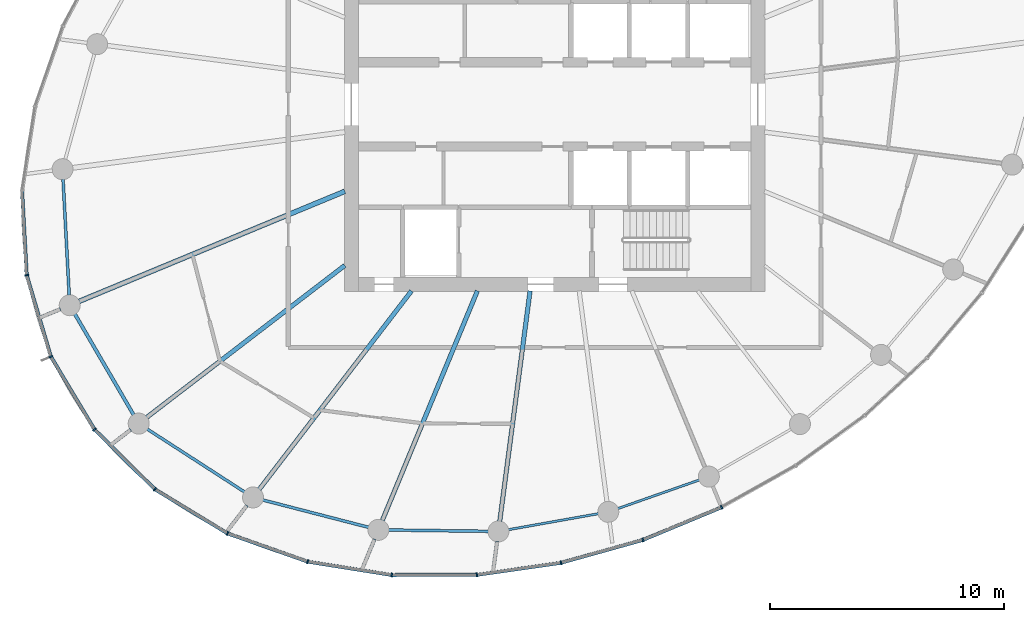
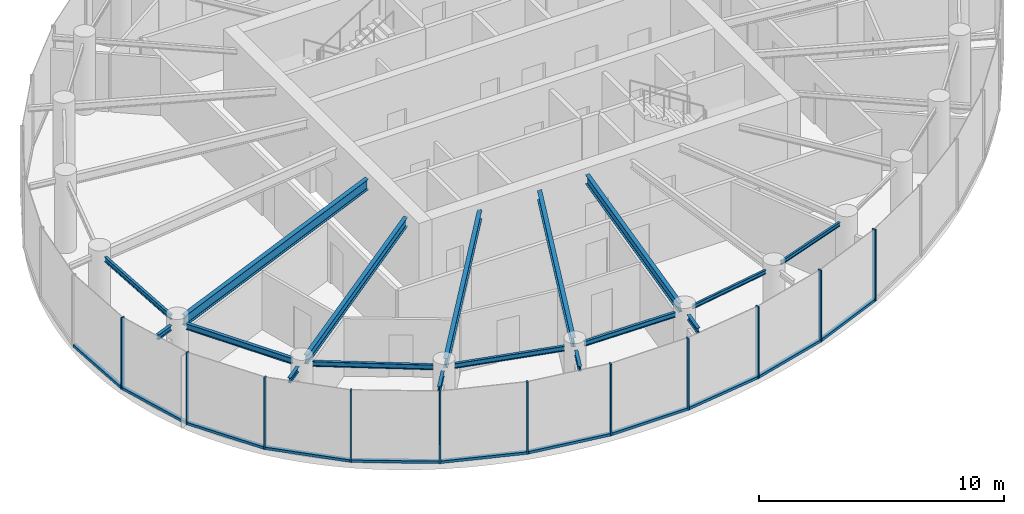
# One storey, part 2 of 14: 22 members, 17 beams, 3 elements without a shape of their own.
"""IFC4 building model written with IfcOpenShell, lengths in metres."""

from ifc_helpers import new_model, si_unit, direction, frame, origin, origin_2d, place, context, subcontext, project, spatial, rectangle, i_section, extrude, source, transform, mapped, material, layer, layer_set, material_profile, profile_set, type_object, element, aggregate, save


model = new_model("IFC4")

# Units and contexts
model_context = context("Model", 3, precision=1e-05, world=origin(), true_north=direction((0.0, 1.0)))
body_context = subcontext(model_context, "Body", "Model", "MODEL_VIEW")
ifc_project = project(units=[si_unit("LENGTHUNIT", "METRE"), si_unit("AREAUNIT", "SQUARE_METRE"), si_unit("VOLUMEUNIT", "CUBIC_METRE"), si_unit("PLANEANGLEUNIT", "RADIAN"), si_unit("MASSUNIT", "GRAM", prefix="KILO")], contexts=[model_context])

# Site, building, storey
site_placement = place(None, origin())
site = spatial("IfcSite", under=ifc_project, at=site_placement, CompositionType="ELEMENT")
building_placement = place(site_placement, origin())
building = spatial("IfcBuilding", under=site, at=building_placement, Name="Spindrift Exchange Tower", CompositionType="ELEMENT")
storey_placement = place(building_placement, frame((0.0, 0.0, 211.10009765625)))
storey = spatial("IfcBuildingStorey", under=building, at=storey_placement, Name="L51", CompositionType="ELEMENT", Elevation=211.10009765625)

# Beams
ifc_material_1 = material(Name="Steel Grade 300", Category="steel")
ifc_material_profile_1 = material_profile(ifc_material_1, i_section(OverallWidth=0.208984375, OverallDepth=0.528076171875, WebThickness=0.009521484375, FlangeThickness=0.01318359375, FilletRadius=0.013916015625, at=origin_2d()), Name="530UB82.0")
ifc_profile_set_1 = profile_set([ifc_material_profile_1], Name="Steel Grade 300")
beam_type_1 = type_object("IfcBeamType", Name="Floor Beam 530UB82.0 Steel Grade 300", PredefinedType="BEAM", material=ifc_profile_set_1)
shared_shape_1 = source(origin(), body_context, "Body", "SweptSolid", [
    extrude(i_section(OverallWidth=0.208984375, OverallDepth=0.528076171875, WebThickness=0.009521484375, FlangeThickness=0.01318359375, FilletRadius=0.013916015625, at=origin_2d()), origin(), (0.0, 0.0, 1.0), 12.3115234375),
])
beam_1_placement = place(storey_placement, frame((43.0185546875, 44.27978515625, 3.31591796875), z_axis=(-0.923878099838, -0.382686891126, 0.0), x_axis=(0.382686891126, -0.923878099838, 0.0)))
element("IfcBeam", 1, at=beam_1_placement, inside=storey, type_object=beam_type_1, Name="L51 radial beam R14A", PredefinedType="BEAM", context=body_context, shape_type="MappedRepresentation", body=[
    mapped(shared_shape_1, transform((0.0, 0.0, 0.0), scale=1.0)),
])
ifc_material_profile_2 = material_profile(ifc_material_1, i_section(OverallWidth=0.18994140625, OverallDepth=0.4541015625, WebThickness=0.008544921875, FlangeThickness=0.0126953125, FilletRadius=0.013916015625, at=origin_2d()), Name="460UB67.1")
ifc_profile_set_2 = profile_set([ifc_material_profile_2], Name="Steel Grade 300")
beam_type_2 = type_object("IfcBeamType", Name="Floor Beam 460UB67.1 Steel Grade 300", PredefinedType="BEAM", material=ifc_profile_set_2)
shared_shape_2 = source(origin(), body_context, "Body", "SweptSolid", [
    extrude(i_section(OverallWidth=0.18994140625, OverallDepth=0.4541015625, WebThickness=0.008544921875, FlangeThickness=0.0126953125, FilletRadius=0.013916015625, at=origin_2d()), origin(), (0.0, 0.0, 1.0), 10.684814453125),
])
beam_2_placement = place(storey_placement, frame((43.015869140625, 41.106201171875, 3.352783203125), z_axis=(-0.793357316898, -0.608756246559, 0.0), x_axis=(0.608756246559, -0.793357316898, 0.0)))
element("IfcBeam", 2, at=beam_2_placement, inside=storey, type_object=beam_type_2, Name="L51 radial beam R15A", PredefinedType="BEAM", context=body_context, shape_type="MappedRepresentation", body=[
    mapped(shared_shape_2, transform((0.0, 0.0, 0.0), scale=1.0)),
])
shared_shape_3 = source(origin(), body_context, "Body", "SweptSolid", [
    extrude(i_section(OverallWidth=0.18994140625, OverallDepth=0.4541015625, WebThickness=0.008544921875, FlangeThickness=0.0126953125, FilletRadius=0.013916015625, at=origin_2d()), origin(), (0.0, 0.0, 1.0), 10.711181640625),
])
beam_3_placement = place(storey_placement, frame((45.87353515625, 40.015869140625, 3.352783203125), z_axis=(-0.608756401092, -0.793357198322, 0.0), x_axis=(0.793357198322, -0.608756401092, 0.0)))
element("IfcBeam", 3, at=beam_3_placement, inside=storey, type_object=beam_type_2, Name="L51 radial beam R16A", PredefinedType="BEAM", context=body_context, shape_type="MappedRepresentation", body=[
    mapped(shared_shape_3, transform((0.0, 0.0, 0.0), scale=1.0)),
])
shared_shape_4 = source(origin(), body_context, "Body", "SweptSolid", [
    extrude(i_section(OverallWidth=0.18994140625, OverallDepth=0.4541015625, WebThickness=0.008544921875, FlangeThickness=0.0126953125, FilletRadius=0.013916015625, at=origin_2d()), origin(), (0.0, 0.0, 1.0), 10.64111328125),
])
beam_4_placement = place(storey_placement, frame((48.69384765625, 40.0185546875, 3.352783203125), z_axis=(-0.382672627597, -0.923884007919, 0.0), x_axis=(0.923884007919, -0.382672627597, 0.0)))
element("IfcBeam", 4, at=beam_4_placement, inside=storey, type_object=beam_type_2, Name="L51 radial beam R17A", PredefinedType="BEAM", context=body_context, shape_type="MappedRepresentation", body=[
    mapped(shared_shape_4, transform((0.0, 0.0, 0.0), scale=1.0)),
])
shared_shape_5 = source(origin(), body_context, "Body", "SweptSolid", [
    extrude(i_section(OverallWidth=0.18994140625, OverallDepth=0.4541015625, WebThickness=0.008544921875, FlangeThickness=0.0126953125, FilletRadius=0.013916015625, at=origin_2d()), origin(), (0.0, 0.0, 1.0), 9.95703125),
])
beam_5_placement = place(storey_placement, frame((50.949462890625, 40.019775390625, 3.352783203125), z_axis=(-0.130541406635, -0.991442858239, 0.0), x_axis=(0.991442858239, -0.130541406635, 0.0)))
element("IfcBeam", 5, at=beam_5_placement, inside=storey, type_object=beam_type_2, Name="L51 radial beam R18A", PredefinedType="BEAM", context=body_context, shape_type="MappedRepresentation", body=[
    mapped(shared_shape_5, transform((0.0, 0.0, 0.0), scale=1.0)),
])
ifc_material_profile_3 = material_profile(ifc_material_1, i_section(OverallWidth=0.1240234375, OverallDepth=0.248046875, WebThickness=0.0048828125, FlangeThickness=0.008056640625, FilletRadius=0.011962890625, at=origin_2d()), Name="250UB25.7")
ifc_profile_set_3 = profile_set([ifc_material_profile_3], Name="Steel Grade 300")
beam_type_3 = type_object("IfcBeamType", Name="Edge Beam 250UB25.7 Steel Grade 300", PredefinedType="SPANDREL", material=ifc_profile_set_3)
shared_shape_6 = source(origin(), body_context, "Body", "SweptSolid", [
    extrude(i_section(OverallWidth=0.1240234375, OverallDepth=0.248046875, WebThickness=0.0048828125, FlangeThickness=0.008056640625, FilletRadius=0.011962890625, at=origin_2d()), origin(), (0.0, 0.0, 1.0), 4.971435546875),
])
beam_6_placement = place(storey_placement, frame((30.96044921875, 44.797607421875, 3.455810546875), z_axis=(0.053038255124, -0.998592481192, 0.0), x_axis=(0.998592481192, 0.053038255124, 0.0)))
element("IfcBeam", 6, at=beam_6_placement, inside=storey, type_object=beam_type_3, Name="L51 edge beam E13", PredefinedType="SPANDREL", context=body_context, shape_type="MappedRepresentation", body=[
    mapped(shared_shape_6, transform((0.0, 0.0, 0.0), scale=1.0)),
])
ifc_material_profile_4 = material_profile(ifc_material_1, i_section(OverallWidth=0.14892578125, OverallDepth=0.298095703125, WebThickness=0.005615234375, FlangeThickness=0.008056640625, FilletRadius=0.012939453125, at=origin_2d()), Name="310UB32.0")
ifc_profile_set_4 = profile_set([ifc_material_profile_4], Name="Steel Grade 300")
beam_type_4 = type_object("IfcBeamType", Name="Edge Beam 310UB32.0 Steel Grade 300", PredefinedType="SPANDREL", material=ifc_profile_set_4)
shared_shape_7 = source(origin(), body_context, "Body", "SweptSolid", [
    extrude(i_section(OverallWidth=0.14892578125, OverallDepth=0.298095703125, WebThickness=0.005615234375, FlangeThickness=0.008056640625, FilletRadius=0.012939453125, at=origin_2d()), origin(), (0.0, 0.0, 1.0), 5.0009765625),
])
beam_7_placement = place(storey_placement, frame((31.46337890625, 39.0322265625, 3.430908203125), z_axis=(0.503512812094, -0.863987759205, 0.0), x_axis=(0.863987759205, 0.503512812094, 0.0)))
element("IfcBeam", 7, at=beam_7_placement, inside=storey, type_object=beam_type_4, Name="L51 edge beam E14", PredefinedType="SPANDREL", context=body_context, shape_type="MappedRepresentation", body=[
    mapped(shared_shape_7, transform((0.0, 0.0, 0.0), scale=1.0)),
])
shared_shape_8 = source(origin(), body_context, "Body", "SweptSolid", [
    extrude(i_section(OverallWidth=0.1240234375, OverallDepth=0.248046875, WebThickness=0.0048828125, FlangeThickness=0.008056640625, FilletRadius=0.011962890625, at=origin_2d()), origin(), (0.0, 0.0, 1.0), 4.966552734375),
])
beam_8_placement = place(storey_placement, frame((34.55908203125, 34.106689453125, 3.455810546875), z_axis=(0.839802198579, -0.54289250065, 0.0), x_axis=(0.54289250065, 0.839802198579, 0.0)))
element("IfcBeam", 8, at=beam_8_placement, inside=storey, type_object=beam_type_3, Name="L51 edge beam E15", PredefinedType="SPANDREL", context=body_context, shape_type="MappedRepresentation", body=[
    mapped(shared_shape_8, transform((0.0, 0.0, 0.0), scale=1.0)),
])
shared_shape_9 = source(origin(), body_context, "Body", "SweptSolid", [
    extrude(i_section(OverallWidth=0.1240234375, OverallDepth=0.248046875, WebThickness=0.0048828125, FlangeThickness=0.008056640625, FilletRadius=0.011962890625, at=origin_2d()), origin(), (0.0, 0.0, 1.0), 4.682373046875),
])
beam_9_placement = place(storey_placement, frame((39.507568359375, 31.0693359375, 3.455810546875), z_axis=(0.968201586176, -0.250171318352, 0.0), x_axis=(0.250171318352, 0.968201586176, 0.0)))
element("IfcBeam", 9, at=beam_9_placement, inside=storey, type_object=beam_type_3, Name="L51 edge beam E16", PredefinedType="SPANDREL", context=body_context, shape_type="MappedRepresentation", body=[
    mapped(shared_shape_9, transform((0.0, 0.0, 0.0), scale=1.0)),
])
shared_shape_10 = source(origin(), body_context, "Body", "SweptSolid", [
    extrude(i_section(OverallWidth=0.1240234375, OverallDepth=0.248046875, WebThickness=0.0048828125, FlangeThickness=0.008056640625, FilletRadius=0.011962890625, at=origin_2d()), origin(), (0.0, 0.0, 1.0), 4.27685546875),
])
beam_10_placement = place(storey_placement, frame((44.88720703125, 29.78466796875, 3.455810546875), z_axis=(0.999910013527, -0.013415097807, 0.0), x_axis=(0.013415097807, 0.999910013527, 0.0)))
element("IfcBeam", 10, at=beam_10_placement, inside=storey, type_object=beam_type_3, Name="L51 edge beam E17", PredefinedType="SPANDREL", context=body_context, shape_type="MappedRepresentation", body=[
    mapped(shared_shape_10, transform((0.0, 0.0, 0.0), scale=1.0)),
])
ifc_material_profile_5 = material_profile(ifc_material_1, i_section(OverallWidth=0.09912109375, OverallDepth=0.197998046875, WebThickness=0.00439453125, FlangeThickness=0.007080078125, FilletRadius=0.010986328125, at=origin_2d()), Name="200UB18.2")
ifc_profile_set_5 = profile_set([ifc_material_profile_5], Name="Steel Grade 300")
beam_type_5 = type_object("IfcBeamType", Name="Edge Beam 200UB18.2 Steel Grade 300", PredefinedType="SPANDREL", material=ifc_profile_set_5)
shared_shape_11 = source(origin(), body_context, "Body", "SweptSolid", [
    extrude(i_section(OverallWidth=0.09912109375, OverallDepth=0.197998046875, WebThickness=0.00439453125, FlangeThickness=0.007080078125, FilletRadius=0.010986328125, at=origin_2d()), origin(), (0.0, 0.0, 1.0), 3.916259765625),
])
beam_11_placement = place(storey_placement, frame((50.01708984375, 29.796875, 3.48095703125), z_axis=(0.984558687682, 0.175054821441, 0.0), x_axis=(-0.175054821441, 0.984558687682, 0.0)))
element("IfcBeam", 11, at=beam_11_placement, inside=storey, type_object=beam_type_5, Name="L51 edge beam E18", PredefinedType="SPANDREL", context=body_context, shape_type="MappedRepresentation", body=[
    mapped(shared_shape_11, transform((0.0, 0.0, 0.0), scale=1.0)),
])
shared_shape_12 = source(origin(), body_context, "Body", "SweptSolid", [
    extrude(i_section(OverallWidth=0.09912109375, OverallDepth=0.197998046875, WebThickness=0.00439453125, FlangeThickness=0.007080078125, FilletRadius=0.010986328125, at=origin_2d()), origin(), (0.0, 0.0, 1.0), 3.700439453125),
])
beam_12_placement = place(storey_placement, frame((54.701904296875, 30.699951171875, 3.48095703125), z_axis=(0.943515334916, 0.331328858957, 0.0), x_axis=(-0.331328858957, 0.943515334916, 0.0)))
element("IfcBeam", 12, at=beam_12_placement, inside=storey, type_object=beam_type_5, Name="L51 edge beam E19", PredefinedType="SPANDREL", context=body_context, shape_type="MappedRepresentation", body=[
    mapped(shared_shape_12, transform((0.0, 0.0, 0.0), scale=1.0)),
])
ifc_material_profile_6 = material_profile(ifc_material_1, i_section(OverallWidth=0.14599609375, OverallDepth=0.251953125, WebThickness=0.006103515625, FlangeThickness=0.008544921875, FilletRadius=0.011962890625, at=origin_2d()), Name="250UB31.4")
ifc_profile_set_6 = profile_set([ifc_material_profile_6], Name="Steel Grade 300")
beam_type_6 = type_object("IfcBeamType", Name="Cantilever Beam 250UB31.4 Steel Grade 300", PredefinedType="BEAM", material=ifc_profile_set_6)
shared_shape_13 = source(origin(), body_context, "Body", "SweptSolid", [
    extrude(i_section(OverallWidth=0.14599609375, OverallDepth=0.251953125, WebThickness=0.006103515625, FlangeThickness=0.008544921875, FilletRadius=0.011962890625, at=origin_2d()), origin(), (0.0, 0.0, 1.0), 0.896240234375),
])
beam_13_placement = place(storey_placement, frame((30.849609375, 39.2392578125, 3.453857421875), z_axis=(-0.923840824744, -0.382776867817, 0.0), x_axis=(0.382776867817, -0.923840824744, 0.0)))
element("IfcBeam", 13, at=beam_13_placement, inside=storey, type_object=beam_type_6, Name="L51 cantilever beam R14T", PredefinedType="BEAM", context=body_context, shape_type="MappedRepresentation", body=[
    mapped(shared_shape_13, transform((0.0, 0.0, 0.0), scale=1.0)),
])
shared_shape_14 = source(origin(), body_context, "Body", "SweptSolid", [
    extrude(i_section(OverallWidth=0.14599609375, OverallDepth=0.251953125, WebThickness=0.006103515625, FlangeThickness=0.008544921875, FilletRadius=0.011962890625, at=origin_2d()), origin(), (0.0, 0.0, 1.0), 0.919189453125),
])
beam_14_placement = place(storey_placement, frame((33.856689453125, 34.078125, 3.453857421875), z_axis=(-0.793354073144, -0.608760473936, 0.0), x_axis=(0.608760473936, -0.793354073144, 0.0)))
element("IfcBeam", 14, at=beam_14_placement, inside=storey, type_object=beam_type_6, Name="L51 cantilever beam R15T", PredefinedType="BEAM", context=body_context, shape_type="MappedRepresentation", body=[
    mapped(shared_shape_14, transform((0.0, 0.0, 0.0), scale=1.0)),
])
shared_shape_15 = source(origin(), body_context, "Body", "SweptSolid", [
    extrude(i_section(OverallWidth=0.14599609375, OverallDepth=0.251953125, WebThickness=0.006103515625, FlangeThickness=0.008544921875, FilletRadius=0.011962890625, at=origin_2d()), origin(), (0.0, 0.0, 1.0), 1.1591796875),
])
beam_15_placement = place(storey_placement, frame((38.829345703125, 30.835693359375, 3.453857421875), z_axis=(-0.608692390952, -0.793406310283, 0.0), x_axis=(0.793406310283, -0.608692390952, 0.0)))
element("IfcBeam", 15, at=beam_15_placement, inside=storey, type_object=beam_type_6, Name="L51 cantilever beam R16T", PredefinedType="BEAM", context=body_context, shape_type="MappedRepresentation", body=[
    mapped(shared_shape_15, transform((0.0, 0.0, 0.0), scale=1.0)),
])
shared_shape_16 = source(origin(), body_context, "Body", "SweptSolid", [
    extrude(i_section(OverallWidth=0.14599609375, OverallDepth=0.251953125, WebThickness=0.006103515625, FlangeThickness=0.008544921875, FilletRadius=0.011962890625, at=origin_2d()), origin(), (0.0, 0.0, 1.0), 1.18994140625),
])
beam_16_placement = place(storey_placement, frame((44.292724609375, 29.39306640625, 3.453857421875), z_axis=(-0.382647763895, -0.923894306069, 0.0), x_axis=(0.923894306069, -0.382647763895, 0.0)))
element("IfcBeam", 16, at=beam_16_placement, inside=storey, type_object=beam_type_6, Name="L51 cantilever beam R17T", PredefinedType="BEAM", context=body_context, shape_type="MappedRepresentation", body=[
    mapped(shared_shape_16, transform((0.0, 0.0, 0.0), scale=1.0)),
])
shared_shape_17 = source(origin(), body_context, "Body", "SweptSolid", [
    extrude(i_section(OverallWidth=0.14599609375, OverallDepth=0.251953125, WebThickness=0.006103515625, FlangeThickness=0.008544921875, FilletRadius=0.011962890625, at=origin_2d()), origin(), (0.0, 0.0, 1.0), 1.076904296875),
])
beam_17_placement = place(storey_placement, frame((49.53759765625, 29.29541015625, 3.453857421875), z_axis=(-0.130589399912, -0.991436537874, 0.0), x_axis=(0.991436537874, -0.130589399912, 0.0)))
element("IfcBeam", 17, at=beam_17_placement, inside=storey, type_object=beam_type_6, Name="L51 cantilever beam R18T", PredefinedType="BEAM", context=body_context, shape_type="MappedRepresentation", body=[
    mapped(shared_shape_17, transform((0.0, 0.0, 0.0), scale=1.0)),
])

# Curtain wall, member
ifc_material_2 = material(Name="Fritted laminated glass with bronze frame", Category="glass")
ifc_layer = layer(ifc_material_2, 0.169921875)
ifc_layer_set = layer_set([ifc_layer], Name="ZONE 4 BRONZE FRITTED WALL")
curtain_wall_type = type_object("IfcCurtainWallType", Name="ZONE 4 BRONZE FRITTED WALL", PredefinedType="NOTDEFINED", material=ifc_layer_set)
curtain_wall_1_placement = place(storey_placement, origin())
curtain_wall_1 = element("IfcCurtainWall", 18, at=curtain_wall_1_placement, inside=storey, type_object=curtain_wall_type, Name="L51 Zone 4 Bronze Fritted Wall run 3", PredefinedType="NOTDEFINED")
ifc_material_3 = material(Name="Bronze anodised aluminium", Category="aluminium")
ifc_material_profile_7 = material_profile(ifc_material_3, rectangle(XDim=0.06494140625, YDim=0.169921875, at=origin_2d()), Name="ZONE 4 BRONZE FRITTED WALL MULLION 65X170")
ifc_profile_set_7 = profile_set([ifc_material_profile_7], Name="Bronze anodised aluminium")
member_type_1 = type_object("IfcMemberType", Name="ZONE 4 BRONZE FRITTED WALL MULLION 65X170", PredefinedType="MULLION", material=ifc_profile_set_7)
shared_shape_18 = source(origin(), body_context, "Body", "SweptSolid", [
    extrude(rectangle(XDim=0.06494140625, YDim=0.169921875, at=origin_2d()), origin(), (0.0, 0.0, 1.0), 3.579833984375),
])
member_1_placement = place(storey_placement, frame((29.403564453125, 40.688232421875, 0.0), z_axis=(0.0, 0.0, 1.0), x_axis=(0.170995978216, -0.9852717267, 0.0)))
member_1 = element("IfcMember", 19, at=member_1_placement, type_object=member_type_1, Name="L51 mullion CW-4.18", PredefinedType="MULLION", context=body_context, shape_type="MappedRepresentation", body=[
    mapped(shared_shape_18, transform((0.0, 0.0, 0.0), scale=1.0)),
])

# Curtain wall, members
curtain_wall_2_placement = place(storey_placement, origin())
curtain_wall_2 = element("IfcCurtainWall", 20, at=curtain_wall_2_placement, inside=storey, type_object=curtain_wall_type, Name="L51 Zone 4 Bronze Fritted Wall run 4", PredefinedType="NOTDEFINED")
member_2_placement = place(storey_placement, frame((30.43896484375, 37.202880859375, 0.0), z_axis=(0.0, 0.0, 1.0), x_axis=(0.402495495669, -0.915421966071, 0.0)))
member_2 = element("IfcMember", 21, at=member_2_placement, type_object=member_type_1, Name="L51 mullion CW-4.19", PredefinedType="MULLION", context=body_context, shape_type="MappedRepresentation", body=[
    mapped(shared_shape_18, transform((0.0, 0.0, 0.0), scale=1.0)),
])
member_3_placement = place(storey_placement, frame((32.306884765625, 34.084716796875, 0.0), z_axis=(0.0, 0.0, 1.0), x_axis=(0.617189843807, -0.786814270779, 0.0)))
member_3 = element("IfcMember", 22, at=member_3_placement, type_object=member_type_1, Name="L51 mullion CW-4.20", PredefinedType="MULLION", context=body_context, shape_type="MappedRepresentation", body=[
    mapped(shared_shape_18, transform((0.0, 0.0, 0.0), scale=1.0)),
])
member_4_placement = place(storey_placement, frame((34.891357421875, 31.527099609375, 0.0), z_axis=(0.0, 0.0, 1.0), x_axis=(0.788013364272, -0.615658133812, 0.0)))
member_4 = element("IfcMember", 23, at=member_4_placement, type_object=member_type_1, Name="L51 mullion CW-4.21", PredefinedType="MULLION", context=body_context, shape_type="MappedRepresentation", body=[
    mapped(shared_shape_18, transform((0.0, 0.0, 0.0), scale=1.0)),
])
member_5_placement = place(storey_placement, frame((37.99951171875, 29.637451171875, 0.0), z_axis=(0.0, 0.0, 1.0), x_axis=(0.903723613375, -0.428116375101, 0.0)))
member_5 = element("IfcMember", 24, at=member_5_placement, type_object=member_type_1, Name="L51 mullion CW-4.22", PredefinedType="MULLION", context=body_context, shape_type="MappedRepresentation", body=[
    mapped(shared_shape_18, transform((0.0, 0.0, 0.0), scale=1.0)),
])
member_6_placement = place(storey_placement, frame((41.431884765625, 28.428955078125, 0.0), z_axis=(0.0, 0.0, 1.0), x_axis=(0.969414434352, -0.245429530556, 0.0)))
member_6 = element("IfcMember", 25, at=member_6_placement, type_object=member_type_1, Name="L51 mullion CW-4.23", PredefinedType="MULLION", context=body_context, shape_type="MappedRepresentation", body=[
    mapped(shared_shape_18, transform((0.0, 0.0, 0.0), scale=1.0)),
])
member_7_placement = place(storey_placement, frame((45.027587890625, 27.8583984375, 0.0), z_axis=(0.0, 0.0, 1.0), x_axis=(0.996953690657, -0.077995760693, 0.0)))
member_7 = element("IfcMember", 26, at=member_7_placement, type_object=member_type_1, Name="L51 mullion CW-4.24", PredefinedType="MULLION", context=body_context, shape_type="MappedRepresentation", body=[
    mapped(shared_shape_18, transform((0.0, 0.0, 0.0), scale=1.0)),
])

curtain_wall_3_placement = place(storey_placement, origin())
curtain_wall_3 = element("IfcCurtainWall", 27, at=curtain_wall_3_placement, inside=storey, type_object=curtain_wall_type, Name="L51 Zone 4 Bronze Fritted Wall run 5", PredefinedType="NOTDEFINED")
member_8_placement = place(storey_placement, frame((48.6689453125, 27.86279296875, 0.0), z_axis=(0.0, 0.0, 1.0), x_axis=(0.997411261514, 0.071908103895, 0.0)))
member_8 = element("IfcMember", 28, at=member_8_placement, type_object=member_type_1, Name="L51 mullion CW-4.25", PredefinedType="MULLION", context=body_context, shape_type="MappedRepresentation", body=[
    mapped(shared_shape_18, transform((0.0, 0.0, 0.0), scale=1.0)),
])
member_9_placement = place(storey_placement, frame((52.274169921875, 28.380859375, 0.0), z_axis=(0.0, 0.0, 1.0), x_axis=(0.978579211718, 0.20587065452, 0.0)))
member_9 = element("IfcMember", 29, at=member_9_placement, type_object=member_type_1, Name="L51 mullion CW-4.26", PredefinedType="MULLION", context=body_context, shape_type="MappedRepresentation", body=[
    mapped(shared_shape_18, transform((0.0, 0.0, 0.0), scale=1.0)),
])
member_10_placement = place(storey_placement, frame((55.78271484375, 29.359375, 0.0), z_axis=(0.0, 0.0, 1.0), x_axis=(0.945161323071, 0.326603847758, 0.0)))
member_10 = element("IfcMember", 30, at=member_10_placement, type_object=member_type_1, Name="L51 mullion CW-4.27", PredefinedType="MULLION", context=body_context, shape_type="MappedRepresentation", body=[
    mapped(shared_shape_18, transform((0.0, 0.0, 0.0), scale=1.0)),
])
member_11_placement = place(storey_placement, frame((59.147216796875, 30.755859375, 0.0), z_axis=(0.0, 0.0, 1.0), x_axis=(0.89956190958, 0.436793281579, 0.0)))
member_11 = element("IfcMember", 31, at=member_11_placement, type_object=member_type_1, Name="L51 mullion CW-4.28", PredefinedType="MULLION", context=body_context, shape_type="MappedRepresentation", body=[
    mapped(shared_shape_18, transform((0.0, 0.0, 0.0), scale=1.0)),
])
ifc_material_profile_8 = material_profile(ifc_material_3, rectangle(XDim=0.14990234375, YDim=0.125, at=origin_2d()), Name="ZONE 4 BRONZE FRITTED WALL TRANSOM 150X125")
ifc_profile_set_8 = profile_set([ifc_material_profile_8], Name="Bronze anodised aluminium")
member_type_2 = type_object("IfcMemberType", Name="ZONE 4 BRONZE FRITTED WALL TRANSOM 150X125", PredefinedType="USERDEFINED", material=ifc_profile_set_8)
shared_shape_19 = source(origin(), body_context, "Body", "SweptSolid", [
    extrude(rectangle(XDim=0.14990234375, YDim=0.125, at=origin_2d()), origin(), (0.0, 0.0, 1.0), 3.57763671875),
])
member_12_placement = place(storey_placement, frame((52.305419921875, 28.3896484375, 0.0625), z_axis=(0.963250520047, 0.268604608353, 0.0), x_axis=(-0.268604608353, 0.963250520047, 0.0)))
member_12 = element("IfcMember", 32, at=member_12_placement, type_object=member_type_2, Name="L51 transom CW-4.26", ObjectType="TRANSOM", PredefinedType="USERDEFINED", context=body_context, shape_type="MappedRepresentation", body=[
    mapped(shared_shape_19, transform((0.0, 0.0, 0.0), scale=1.0)),
])
shared_shape_20 = source(origin(), body_context, "Body", "SweptSolid", [
    extrude(rectangle(XDim=0.14990234375, YDim=0.125, at=origin_2d()), origin(), (0.0, 0.0, 1.0), 3.577880859375),
])
member_13_placement = place(storey_placement, frame((55.812744140625, 29.371826171875, 0.0625), z_axis=(0.923598957507, 0.383360099244, 0.0), x_axis=(-0.383360099244, 0.923598957507, 0.0)))
member_13 = element("IfcMember", 33, at=member_13_placement, type_object=member_type_2, Name="L51 transom CW-4.27", ObjectType="TRANSOM", PredefinedType="USERDEFINED", context=body_context, shape_type="MappedRepresentation", body=[
    mapped(shared_shape_20, transform((0.0, 0.0, 0.0), scale=1.0)),
])
shared_shape_21 = source(origin(), body_context, "Body", "SweptSolid", [
    extrude(rectangle(XDim=0.14990234375, YDim=0.125, at=origin_2d()), origin(), (0.0, 0.0, 1.0), 3.5771484375),
])
member_14_placement = place(storey_placement, frame((48.701171875, 27.867431640625, 0.0625), z_axis=(0.989833135099, 0.14223348642, 0.0), x_axis=(-0.14223348642, 0.989833135099, 0.0)))
member_14 = element("IfcMember", 34, at=member_14_placement, type_object=member_type_2, Name="L51 transom CW-4.25", ObjectType="TRANSOM", PredefinedType="USERDEFINED", context=body_context, shape_type="MappedRepresentation", body=[
    mapped(shared_shape_21, transform((0.0, 0.0, 0.0), scale=1.0)),
])
aggregate(curtain_wall_3, [member_8, member_14, member_9, member_12, member_10, member_13, member_11])

# Member
shared_shape_22 = source(origin(), body_context, "Body", "SweptSolid", [
    extrude(rectangle(XDim=0.14990234375, YDim=0.125, at=origin_2d()), origin(), (0.0, 0.0, 1.0), 3.575439453125),
])
member_15_placement = place(storey_placement, frame((41.464111328125, 28.423828125, 0.0625), z_axis=(0.987634185942, -0.156776001861, 0.0), x_axis=(0.156776001861, 0.987634185942, 0.0)))
member_15 = element("IfcMember", 35, at=member_15_placement, type_object=member_type_2, Name="L51 transom CW-4.23", ObjectType="TRANSOM", PredefinedType="USERDEFINED", context=body_context, shape_type="MappedRepresentation", body=[
    mapped(shared_shape_22, transform((0.0, 0.0, 0.0), scale=1.0)),
])

shared_shape_23 = source(origin(), body_context, "Body", "SweptSolid", [
    extrude(rectangle(XDim=0.14990234375, YDim=0.125, at=origin_2d()), origin(), (0.0, 0.0, 1.0), 3.57080078125),
])
member_16_placement = place(storey_placement, frame((29.412841796875, 40.656982421875, 0.0625), z_axis=(0.28477500807, -0.958594384909, 0.0), x_axis=(0.958594384909, 0.28477500807, 0.0)))
member_16 = element("IfcMember", 36, at=member_16_placement, type_object=member_type_2, Name="L51 transom CW-4.18", ObjectType="TRANSOM", PredefinedType="USERDEFINED", context=body_context, shape_type="MappedRepresentation", body=[
    mapped(shared_shape_23, transform((0.0, 0.0, 0.0), scale=1.0)),
])

member_17_placement = place(storey_placement, frame((32.330078125, 34.061767578125, 0.0625), z_axis=(0.710789198596, -0.703405086106, 0.0), x_axis=(0.703405086106, 0.710789198596, 0.0)))
member_17 = element("IfcMember", 37, at=member_17_placement, type_object=member_type_2, Name="L51 transom CW-4.20", ObjectType="TRANSOM", PredefinedType="USERDEFINED", context=body_context, shape_type="MappedRepresentation", body=[
    mapped(shared_shape_23, transform((0.0, 0.0, 0.0), scale=1.0)),
])

shared_shape_24 = source(origin(), body_context, "Body", "SweptSolid", [
    extrude(rectangle(XDim=0.14990234375, YDim=0.125, at=origin_2d()), origin(), (0.0, 0.0, 1.0), 3.572509765625),
])
member_18_placement = place(storey_placement, frame((29.205810546875, 44.287841796875, 0.0625), z_axis=(0.054875780635, -0.99849318911, 0.0), x_axis=(0.99849318911, 0.054875780635, 0.0)))
member_18 = element("IfcMember", 38, at=member_18_placement, type_object=member_type_2, Name="L51 transom CW-4.17", ObjectType="TRANSOM", PredefinedType="USERDEFINED", context=body_context, shape_type="MappedRepresentation", body=[
    mapped(shared_shape_24, transform((0.0, 0.0, 0.0), scale=1.0)),
])

aggregate(curtain_wall_1, [member_18, member_1, member_16])

member_19_placement = place(storey_placement, frame((34.919189453125, 31.51025390625, 0.0625), z_axis=(0.854457105668, -0.519521948115, 0.0), x_axis=(0.519521948115, 0.854457105668, 0.0)))
member_19 = element("IfcMember", 39, at=member_19_placement, type_object=member_type_2, Name="L51 transom CW-4.21", ObjectType="TRANSOM", PredefinedType="USERDEFINED", context=body_context, shape_type="MappedRepresentation", body=[
    mapped(shared_shape_24, transform((0.0, 0.0, 0.0), scale=1.0)),
])

shared_shape_25 = source(origin(), body_context, "Body", "SweptSolid", [
    extrude(rectangle(XDim=0.14990234375, YDim=0.125, at=origin_2d()), origin(), (0.0, 0.0, 1.0), 3.57421875),
])
member_20_placement = place(storey_placement, frame((38.030029296875, 29.626708984375, 0.0625), z_axis=(0.943242270859, -0.332105432755, 0.0), x_axis=(0.332105432755, 0.943242270859, 0.0)))
member_20 = element("IfcMember", 40, at=member_20_placement, type_object=member_type_2, Name="L51 transom CW-4.22", ObjectType="TRANSOM", PredefinedType="USERDEFINED", context=body_context, shape_type="MappedRepresentation", body=[
    mapped(shared_shape_25, transform((0.0, 0.0, 0.0), scale=1.0)),
])

shared_shape_26 = source(origin(), body_context, "Body", "SweptSolid", [
    extrude(rectangle(XDim=0.14990234375, YDim=0.125, at=origin_2d()), origin(), (0.0, 0.0, 1.0), 3.576416015625),
])
member_21_placement = place(storey_placement, frame((45.06005859375, 27.8583984375, 0.0625), z_axis=(0.999999245084, 0.001228751888, 0.0), x_axis=(-0.001228751888, 0.999999245084, 0.0)))
member_21 = element("IfcMember", 41, at=member_21_placement, type_object=member_type_2, Name="L51 transom CW-4.24", ObjectType="TRANSOM", PredefinedType="USERDEFINED", context=body_context, shape_type="MappedRepresentation", body=[
    mapped(shared_shape_26, transform((0.0, 0.0, 0.0), scale=1.0)),
])

shared_shape_27 = source(origin(), body_context, "Body", "SweptSolid", [
    extrude(rectangle(XDim=0.14990234375, YDim=0.125, at=origin_2d()), origin(), (0.0, 0.0, 1.0), 3.56982421875),
])
member_22_placement = place(storey_placement, frame((30.455810546875, 37.175048828125, 0.0625), z_axis=(0.513872076119, -0.857866824971, 0.0), x_axis=(0.857866824971, 0.513872076119, 0.0)))
member_22 = element("IfcMember", 42, at=member_22_placement, type_object=member_type_2, Name="L51 transom CW-4.19", ObjectType="TRANSOM", PredefinedType="USERDEFINED", context=body_context, shape_type="MappedRepresentation", body=[
    mapped(shared_shape_27, transform((0.0, 0.0, 0.0), scale=1.0)),
])

aggregate(curtain_wall_2, [member_2, member_22, member_3, member_17, member_4, member_19, member_5, member_20, member_6, member_15, member_7, member_21])

save(model, "model.ifc")
